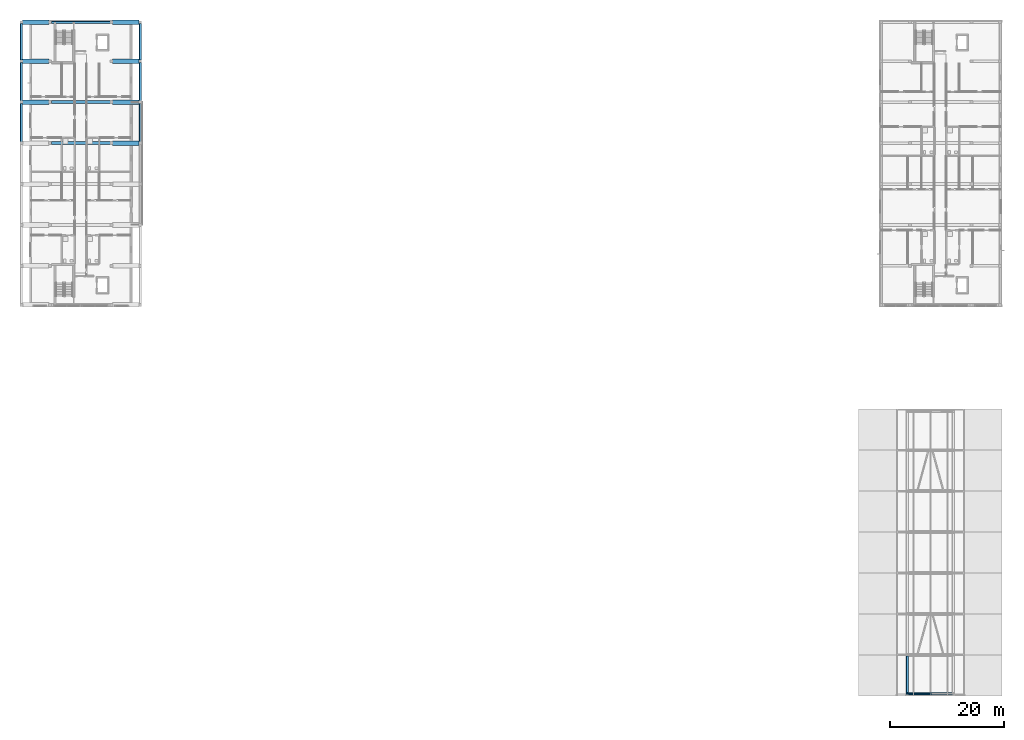
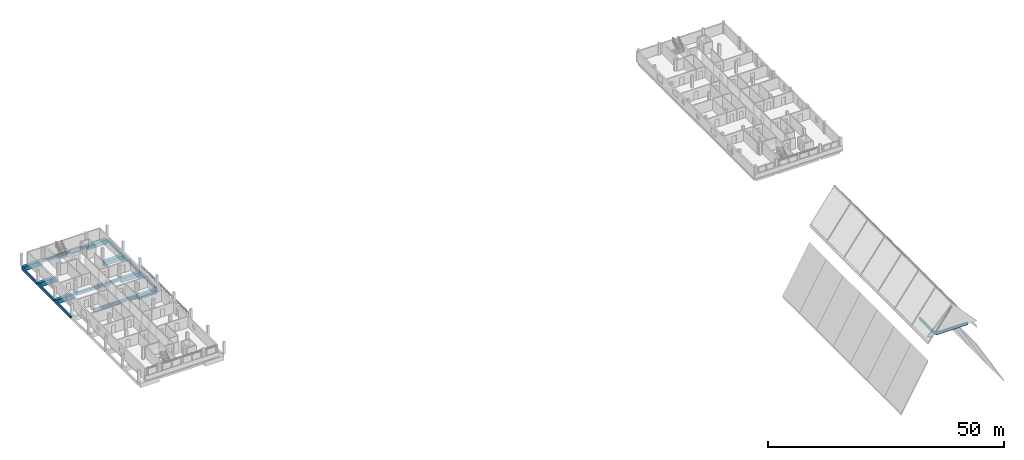
# One storey, part 3 of 29: 18 beams, 1 member.
"""IFC4 building model written with IfcOpenShell, lengths in metres."""

from ifc_helpers import new_model, si_unit, derived_unit, direction, frame, origin, origin_2d, place, context, subcontext, project, spatial, rectangle, i_section, extrude, material, material_profile, profile_set, type_object, element, save


model = new_model("IFC4")

# Units and contexts
model_context = context("Model", 3, precision=1e-05, world=origin(), true_north=direction((0.0, 1.0)))
body_context = subcontext(model_context, "Body", "Model", "MODEL_VIEW")
ifc_project = project(units=[si_unit("LENGTHUNIT", "METRE"), si_unit("AREAUNIT", "SQUARE_METRE"), si_unit("VOLUMEUNIT", "CUBIC_METRE"), si_unit("PLANEANGLEUNIT", "RADIAN"), si_unit("MASSUNIT", "GRAM", prefix="KILO"), derived_unit("THERMALTRANSMITTANCEUNIT", [(si_unit("MASSUNIT", "GRAM", prefix="KILO"), 1), (si_unit("TIMEUNIT", "SECOND"), -3), (si_unit("THERMODYNAMICTEMPERATUREUNIT", "KELVIN"), -1)])], contexts=[model_context])

# Site, building, storey
site_placement = place(None, origin())
site = spatial("IfcSite", under=ifc_project, at=site_placement, CompositionType="ELEMENT")
building_placement = place(site_placement, origin())
building = spatial("IfcBuilding", under=site, at=building_placement, Name="Ochrekiln Boulevard Commons", CompositionType="ELEMENT")
storey_placement = place(building_placement, frame((0.0, 0.0, 37.27490234375)))
storey = spatial("IfcBuildingStorey", under=building, at=storey_placement, Name="L11", CompositionType="ELEMENT", Elevation=37.27490234375)

# Beams
ifc_material_1 = material(Name="Concrete C40/50", Category="concrete")
ifc_material_profile_1 = material_profile(ifc_material_1, rectangle(XDim=0.5, YDim=0.699951171875, at=origin_2d()), Name="RC-BM-500x700")
ifc_profile_set_1 = profile_set([ifc_material_profile_1], Name="Concrete C40/50")
beam_type_1 = type_object("IfcBeamType", Name="BM-RC-500x700", PredefinedType="BEAM", material=ifc_profile_set_1)
for number, where, z_axis, x_axis, name in (
    (1, (5.610107421875, 97.199951171875, -0.60986328125), (1.0, 0.0, 0.0), (0.0, 1.0, 0.0), "Block A L11 Beam B-5070 X13"),
    (2, (5.610107421875, 104.39990234375, -0.60986328125), (1.0, 0.0, 0.0), (0.0, 1.0, 0.0), "Block A L11 Beam B-5070 X16"),
):
    element("IfcBeam", number, at=place(storey_placement, frame(where, z_axis=z_axis, x_axis=x_axis)), inside=storey, type_object=beam_type_1, Name=name, PredefinedType="BEAM", context=body_context, shape_type="SweptSolid", body=[
        extrude(rectangle(XDim=0.5, YDim=0.699951171875, at=origin_2d()), origin(), (0.0, 0.0, 1.0), 10.3798828125),
    ])
ifc_material_profile_2 = material_profile(ifc_material_1, rectangle(XDim=0.800048828125, YDim=1.14990234375, at=origin_2d()), Name="RC-TRG-800x1150")
ifc_profile_set_2 = profile_set([ifc_material_profile_2], Name="Concrete C40/50")
beam_type_2 = type_object("IfcBeamType", Name="BM-TRG-800x1150", PredefinedType="BEAM", material=ifc_profile_set_2)
beam_1_placement = place(storey_placement, frame((16.409912109375, 97.199951171875, -0.8349609375), z_axis=(1.0, 0.0, 0.0), x_axis=(0.0, 1.0, 0.0)))
element("IfcBeam", 3, at=beam_1_placement, inside=storey, type_object=beam_type_2, Name="Block A L11 Beam TG-01 X14", PredefinedType="BEAM", context=body_context, shape_type="SweptSolid", body=[
    extrude(rectangle(XDim=0.800048828125, YDim=1.14990234375, at=origin_2d()), origin(), (0.0, 0.0, 1.0), 4.630126953125),
])
beam_2_placement = place(storey_placement, frame((0.56005859375, 104.39990234375, -0.8349609375), z_axis=(1.0, 0.0, 0.0), x_axis=(0.0, 1.0, 0.0)))
element("IfcBeam", 4, at=beam_2_placement, inside=storey, type_object=beam_type_2, Name="Block A L11 Beam TG-01 X15", PredefinedType="BEAM", context=body_context, shape_type="SweptSolid", body=[
    extrude(rectangle(XDim=0.800048828125, YDim=1.14990234375, at=origin_2d()), origin(), (0.0, 0.0, 1.0), 4.6298828125),
])
beam_3_placement = place(storey_placement, frame((16.409912109375, 104.39990234375, -0.8349609375), z_axis=(1.0, 0.0, 0.0), x_axis=(0.0, 1.0, 0.0)))
element("IfcBeam", 5, at=beam_3_placement, inside=storey, type_object=beam_type_2, Name="Block A L11 Beam TG-01 X17", PredefinedType="BEAM", context=body_context, shape_type="SweptSolid", body=[
    extrude(rectangle(XDim=0.800048828125, YDim=1.14990234375, at=origin_2d()), origin(), (0.0, 0.0, 1.0), 4.630126953125),
])
beam_4_placement = place(storey_placement, frame((0.56005859375, 111.60009765625, -0.8349609375), z_axis=(1.0, 0.0, 0.0), x_axis=(0.0, 1.0, 0.0)))
element("IfcBeam", 6, at=beam_4_placement, inside=storey, type_object=beam_type_2, Name="Block A L11 Beam TG-01 X18", PredefinedType="BEAM", context=body_context, shape_type="SweptSolid", body=[
    extrude(rectangle(XDim=0.800048828125, YDim=1.14990234375, at=origin_2d()), origin(), (0.0, 0.0, 1.0), 4.6298828125),
])
beam_5_placement = place(storey_placement, frame((16.409912109375, 111.60009765625, -0.8349609375), z_axis=(1.0, 0.0, 0.0), x_axis=(0.0, 1.0, 0.0)))
element("IfcBeam", 7, at=beam_5_placement, inside=storey, type_object=beam_type_2, Name="Block A L11 Beam TG-01 X19", PredefinedType="BEAM", context=body_context, shape_type="SweptSolid", body=[
    extrude(rectangle(XDim=0.800048828125, YDim=1.14990234375, at=origin_2d()), origin(), (0.0, 0.0, 1.0), 4.630126953125),
])
beam_6_placement = place(storey_placement, frame((0.56005859375, 118.449951171875, -0.8349609375), z_axis=(1.0, 0.0, 0.0), x_axis=(0.0, 1.0, 0.0)))
element("IfcBeam", 8, at=beam_6_placement, inside=storey, type_object=beam_type_2, Name="Block A L11 Beam TG-01 X20", PredefinedType="BEAM", context=body_context, shape_type="SweptSolid", body=[
    extrude(rectangle(XDim=0.800048828125, YDim=1.14990234375, at=origin_2d()), origin(), (0.0, 0.0, 1.0), 4.6298828125),
])
beam_7_placement = place(storey_placement, frame((16.409912109375, 118.449951171875, -0.8349609375), z_axis=(1.0, 0.0, 0.0), x_axis=(0.0, 1.0, 0.0)))
element("IfcBeam", 9, at=beam_7_placement, inside=storey, type_object=beam_type_2, Name="Block A L11 Beam TG-01 X22", PredefinedType="BEAM", context=body_context, shape_type="SweptSolid", body=[
    extrude(rectangle(XDim=0.800048828125, YDim=1.14990234375, at=origin_2d()), origin(), (0.0, 0.0, 1.0), 4.630126953125),
])

# Member
ifc_material_2 = material(Name="Steel A992 Grade 50", Category="steel")
ifc_material_profile_3 = material_profile(ifc_material_2, i_section(OverallWidth=0.19091796875, OverallDepth=0.45703125, WebThickness=0.009033203125, FlangeThickness=0.014404296875, at=origin_2d()), Name="W18X50")
ifc_profile_set_3 = profile_set([ifc_material_profile_3], Name="Steel A992 Grade 50")
member_type = type_object("IfcMemberType", Name="MEM-RAF-W18X50", PredefinedType="RAFTER", material=ifc_profile_set_3)
member_placement = place(storey_placement, frame((156.14990234375, 0.35009765625, -0.33447265625), z_axis=(0.595230124903, 0.0, 0.803555286467), x_axis=(0.0, 1.0, 0.0)))
element("IfcMember", 10, at=member_placement, inside=storey, type_object=member_type, Name="Block C Steep Gable Rafter 1W", PredefinedType="RAFTER", context=body_context, shape_type="SweptSolid", body=[
    extrude(i_section(OverallWidth=0.19091796875, OverallDepth=0.45703125, WebThickness=0.009033203125, FlangeThickness=0.014404296875, at=origin_2d()), origin(), (0.0, 0.0, 1.0), 6.80419921875),
])

# Beams
ifc_material_profile_4 = material_profile(ifc_material_1, rectangle(XDim=0.35009765625, YDim=0.64990234375, at=origin_2d()), Name="RC-SPN-350x650")
ifc_profile_set_4 = profile_set([ifc_material_profile_4], Name="Concrete C40/50")
beam_type_3 = type_object("IfcBeamType", Name="SPN-RC-350x650", PredefinedType="SPANDREL", material=ifc_profile_set_4)
beam_8_placement = place(storey_placement, frame((5.610107421875, 118.449951171875, -0.5849609375), z_axis=(1.0, 0.0, 0.0), x_axis=(0.0, 1.0, 0.0)))
element("IfcBeam", 11, at=beam_8_placement, inside=storey, type_object=beam_type_3, Name="Block A L11 Beam SP-3565 X21", PredefinedType="SPANDREL", context=body_context, shape_type="SweptSolid", body=[
    extrude(rectangle(XDim=0.35009765625, YDim=0.64990234375, at=origin_2d()), origin(), (0.0, 0.0, 1.0), 10.3798828125),
])
beam_9_placement = place(storey_placement, frame((0.35009765625, 97.409912109375, -0.5849609375), z_axis=(0.0, 1.0, 0.0), x_axis=(-1.0, 0.0, 0.0)))
element("IfcBeam", 12, at=beam_9_placement, inside=storey, type_object=beam_type_3, Name="Block A L11 Beam SP-3565 Y27", PredefinedType="SPANDREL", context=body_context, shape_type="SweptSolid", body=[
    extrude(rectangle(XDim=0.35009765625, YDim=0.64990234375, at=origin_2d()), origin(), (0.0, 0.0, 1.0), 6.780029296875),
])
beam_10_placement = place(storey_placement, frame((0.35009765625, 104.610107421875, -0.5849609375), z_axis=(0.0, 1.0, 0.0), x_axis=(-1.0, 0.0, 0.0)))
element("IfcBeam", 13, at=beam_10_placement, inside=storey, type_object=beam_type_3, Name="Block A L11 Beam SP-3565 Y28", PredefinedType="SPANDREL", context=body_context, shape_type="SweptSolid", body=[
    extrude(rectangle(XDim=0.35009765625, YDim=0.64990234375, at=origin_2d()), origin(), (0.0, 0.0, 1.0), 6.77978515625),
])
beam_11_placement = place(storey_placement, frame((0.35009765625, 111.81005859375, -0.5849609375), z_axis=(0.0, 1.0, 0.0), x_axis=(-1.0, 0.0, 0.0)))
element("IfcBeam", 14, at=beam_11_placement, inside=storey, type_object=beam_type_3, Name="Block A L11 Beam SP-3565 Y29", PredefinedType="SPANDREL", context=body_context, shape_type="SweptSolid", body=[
    extrude(rectangle(XDim=0.35009765625, YDim=0.64990234375, at=origin_2d()), origin(), (0.0, 0.0, 1.0), 6.429931640625),
])
beam_12_placement = place(storey_placement, frame((21.25, 97.409912109375, -0.5849609375), z_axis=(0.0, 1.0, 0.0), x_axis=(-1.0, 0.0, 0.0)))
element("IfcBeam", 15, at=beam_12_placement, inside=storey, type_object=beam_type_3, Name="Block A L11 Beam SP-3565 Y34", PredefinedType="SPANDREL", context=body_context, shape_type="SweptSolid", body=[
    extrude(rectangle(XDim=0.35009765625, YDim=0.64990234375, at=origin_2d()), origin(), (0.0, 0.0, 1.0), 6.780029296875),
])
beam_13_placement = place(storey_placement, frame((21.25, 104.610107421875, -0.5849609375), z_axis=(0.0, 1.0, 0.0), x_axis=(-1.0, 0.0, 0.0)))
element("IfcBeam", 16, at=beam_13_placement, inside=storey, type_object=beam_type_3, Name="Block A L11 Beam SP-3565 Y35", PredefinedType="SPANDREL", context=body_context, shape_type="SweptSolid", body=[
    extrude(rectangle(XDim=0.35009765625, YDim=0.64990234375, at=origin_2d()), origin(), (0.0, 0.0, 1.0), 6.77978515625),
])
beam_14_placement = place(storey_placement, frame((21.25, 111.81005859375, -0.5849609375), z_axis=(0.0, 1.0, 0.0), x_axis=(-1.0, 0.0, 0.0)))
element("IfcBeam", 17, at=beam_14_placement, inside=storey, type_object=beam_type_3, Name="Block A L11 Beam SP-3565 Y36", PredefinedType="SPANDREL", context=body_context, shape_type="SweptSolid", body=[
    extrude(rectangle(XDim=0.35009765625, YDim=0.64990234375, at=origin_2d()), origin(), (0.0, 0.0, 1.0), 6.429931640625),
])
beam_15_placement = place(storey_placement, frame((156.360107421875, 0.35009765625, -0.625), z_axis=(1.0, 0.0, 0.0), x_axis=(0.0, 1.0, 0.0)))
element("IfcBeam", 18, at=beam_15_placement, inside=storey, type_object=beam_type_3, Name="Block C L11 Beam SP-3565 X1", PredefinedType="SPANDREL", context=body_context, shape_type="SweptSolid", body=[
    extrude(rectangle(XDim=0.35009765625, YDim=0.64990234375, at=origin_2d()), origin(), (0.0, 0.0, 1.0), 7.679931640625),
])
beam_16_placement = place(storey_placement, frame((156.14990234375, 0.56005859375, -0.625), z_axis=(0.0, 1.0, 0.0), x_axis=(-1.0, 0.0, 0.0)))
element("IfcBeam", 19, at=beam_16_placement, inside=storey, type_object=beam_type_3, Name="Block C L11 Beam SP-3565 Y9", PredefinedType="SPANDREL", context=body_context, shape_type="SweptSolid", body=[
    extrude(rectangle(XDim=0.35009765625, YDim=0.64990234375, at=origin_2d()), origin(), (0.0, 0.0, 1.0), 6.429931640625),
])

save(model, "model.ifc")
